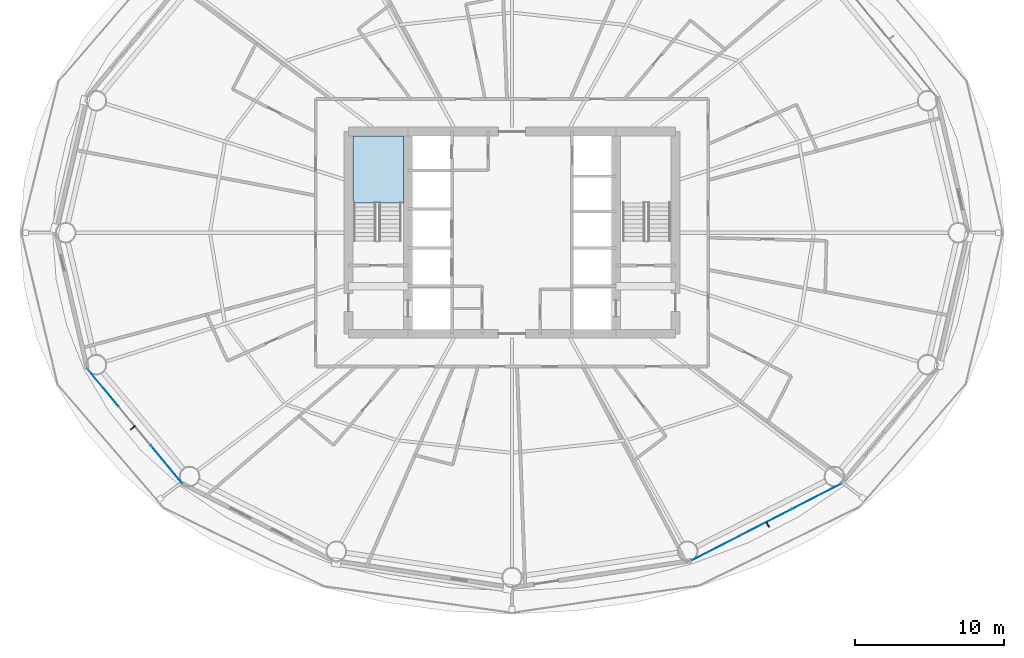
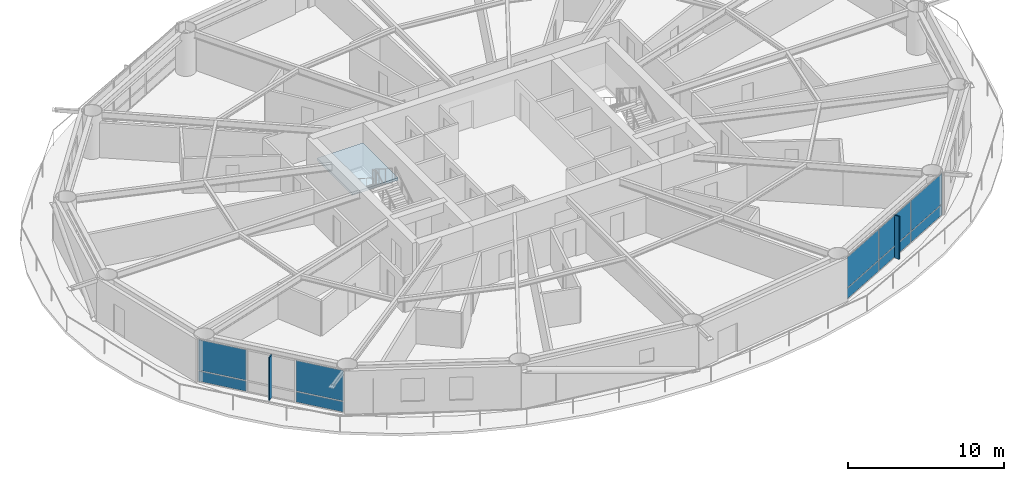
# One storey, part 16 of 26: 12 plates, 1 slab, 3 elements without a shape of their own.
"""IFC4 building model written with IfcOpenShell, lengths in metres."""

from ifc_helpers import new_model, si_unit, direction, frame, origin, origin_2d, place, context, subcontext, project, spatial, polyline, rectangle, outline, extrude, material, layer, layer_set, type_object, element, aggregate, save


model = new_model("IFC4")

# Units and contexts
model_context = context("Model", 3, precision=1e-05, world=origin(), true_north=direction((0.0, 1.0)))
body_context = subcontext(model_context, "Body", "Model", "MODEL_VIEW")
ifc_project = project(units=[si_unit("LENGTHUNIT", "METRE"), si_unit("AREAUNIT", "SQUARE_METRE"), si_unit("VOLUMEUNIT", "CUBIC_METRE"), si_unit("PLANEANGLEUNIT", "RADIAN"), si_unit("MASSUNIT", "GRAM", prefix="KILO")], contexts=[model_context])

# Site, building, storey
site_placement = place(None, origin())
site = spatial("IfcSite", under=ifc_project, at=site_placement, CompositionType="ELEMENT")
building_placement = place(site_placement, origin())
building = spatial("IfcBuilding", under=site, at=building_placement, Name="Sarneth Arch Tower", CompositionType="ELEMENT")
storey_placement = place(building_placement, frame((0.0, 0.0, 42.60009765625)))
storey = spatial("IfcBuildingStorey", under=building, at=storey_placement, Name="L09", CompositionType="ELEMENT", Elevation=42.60009765625)

# Curtain wall, plates
ifc_material_1 = material(Name="Anodised aluminium Type AA25 and solar-control low-e laminated IGU", Category="aluminium")
ifc_layer_1 = layer(ifc_material_1, 0.159912109375)
ifc_layer_set_1 = layer_set([ifc_layer_1], Name="Anodised aluminium Type AA25 and solar-control low-e laminated IGU")
curtain_wall_type = type_object("IfcCurtainWallType", Name="CW-HOTEL-LOW", PredefinedType="NOTDEFINED", material=ifc_layer_set_1)
curtain_wall_1_placement = place(storey_placement, origin())
curtain_wall_1 = element("IfcCurtainWall", 1, at=curtain_wall_1_placement, inside=storey, type_object=curtain_wall_type, Name="L09 Unitised curtain wall facet 10", PredefinedType="NOTDEFINED")
ifc_material_2 = material(Name="Solar-control low-e laminated IGU", Category="glass")
ifc_layer_2 = layer(ifc_material_2, 0.028076171875)
ifc_layer_set_2 = layer_set([ifc_layer_2], Name="Solar-control low-e laminated IGU")
plate_type_1 = type_object("IfcPlateType", Name="CW-PANEL", PredefinedType="CURTAIN_PANEL", material=ifc_layer_set_2)
plate_1_placement = place(storey_placement, frame((20.496337890625, 31.558837890625, 0.059814453125), z_axis=(0.0, 0.0, 1.0), x_axis=(0.637291340827, -0.770622960278, 0.0)))
plate_1 = element("IfcPlate", 2, at=plate_1_placement, type_object=plate_type_1, Name="Curtain wall glazed vision pane CW-L09-F10/P00-00", PredefinedType="CURTAIN_PANEL", context=body_context, shape_type="SweptSolid", body=[
    extrude(rectangle(XDim=3.260986328125, YDim=0.028076171875, at=origin_2d()), origin(), (0.0, 0.0, 1.0), 0.81005859375),
])
plate_2_placement = place(storey_placement, frame((20.496337890625, 31.558837890625, 0.93017578125), z_axis=(0.0, 0.0, 1.0), x_axis=(0.637291340827, -0.770622960278, 0.0)))
plate_2 = element("IfcPlate", 3, at=plate_2_placement, type_object=plate_type_1, Name="Curtain wall glazed vision pane CW-L09-F10/P00-01", PredefinedType="CURTAIN_PANEL", context=body_context, shape_type="SweptSolid", body=[
    extrude(rectangle(XDim=3.260986328125, YDim=0.028076171875, at=origin_2d()), origin(), (0.0, 0.0, 1.0), 2.389892578125),
])
plate_3_placement = place(storey_placement, frame((24.74853515625, 26.4169921875, 0.059814453125), z_axis=(0.0, 0.0, 1.0), x_axis=(0.637291340827, -0.770622960278, 0.0)))
plate_3 = element("IfcPlate", 4, at=plate_3_placement, type_object=plate_type_1, Name="Curtain wall glazed vision pane CW-L09-F10/P02-00", PredefinedType="CURTAIN_PANEL", context=body_context, shape_type="SweptSolid", body=[
    extrude(rectangle(XDim=3.260986328125, YDim=0.028076171875, at=origin_2d()), origin(), (0.0, 0.0, 1.0), 0.81005859375),
])
plate_4_placement = place(storey_placement, frame((24.74853515625, 26.4169921875, 0.93017578125), z_axis=(0.0, 0.0, 1.0), x_axis=(0.637291340827, -0.770622960278, 0.0)))
plate_4 = element("IfcPlate", 5, at=plate_4_placement, type_object=plate_type_1, Name="Curtain wall glazed vision pane CW-L09-F10/P02-01", PredefinedType="CURTAIN_PANEL", context=body_context, shape_type="SweptSolid", body=[
    extrude(rectangle(XDim=3.260986328125, YDim=0.028076171875, at=origin_2d()), origin(), (0.0, 0.0, 1.0), 2.389892578125),
])
aggregate(curtain_wall_1, [plate_1, plate_2, plate_3, plate_4])

curtain_wall_2_placement = place(storey_placement, origin())
curtain_wall_2 = element("IfcCurtainWall", 6, at=curtain_wall_2_placement, inside=storey, type_object=curtain_wall_type, Name="L09 Unitised curtain wall facet 14", PredefinedType="NOTDEFINED")
plate_5_placement = place(storey_placement, frame((61.77392578125, 20.807373046875, 0.059814453125), z_axis=(0.0, 0.0, 1.0), x_axis=(0.889854100456, 0.456245197127, 0.0)))
plate_5 = element("IfcPlate", 7, at=plate_5_placement, type_object=plate_type_1, Name="Curtain wall glazed vision pane CW-L09-F14/P00-00", PredefinedType="CURTAIN_PANEL", context=body_context, shape_type="SweptSolid", body=[
    extrude(rectangle(XDim=3.69189453125, YDim=0.028076171875, at=origin_2d()), origin(), (0.0, 0.0, 1.0), 0.81005859375),
])
plate_6_placement = place(storey_placement, frame((61.77392578125, 20.807373046875, 0.93017578125), z_axis=(0.0, 0.0, 1.0), x_axis=(0.889854100456, 0.456245197127, 0.0)))
plate_6 = element("IfcPlate", 8, at=plate_6_placement, type_object=plate_type_1, Name="Curtain wall glazed vision pane CW-L09-F14/P00-01", PredefinedType="CURTAIN_PANEL", context=body_context, shape_type="SweptSolid", body=[
    extrude(rectangle(XDim=3.69189453125, YDim=0.028076171875, at=origin_2d()), origin(), (0.0, 0.0, 1.0), 2.389892578125),
])
plate_7_placement = place(storey_placement, frame((65.1259765625, 22.526123046875, 0.059814453125), z_axis=(0.0, 0.0, 1.0), x_axis=(0.889854100456, 0.456245197127, 0.0)))
plate_7 = element("IfcPlate", 9, at=plate_7_placement, type_object=plate_type_1, Name="Curtain wall glazed vision pane CW-L09-F14/P01-00", PredefinedType="CURTAIN_PANEL", context=body_context, shape_type="SweptSolid", body=[
    extrude(rectangle(XDim=3.721923828125, YDim=0.028076171875, at=origin_2d()), origin(), (0.0, 0.0, 1.0), 0.81005859375),
])
plate_8_placement = place(storey_placement, frame((65.1259765625, 22.526123046875, 0.93017578125), z_axis=(0.0, 0.0, 1.0), x_axis=(0.889854100456, 0.456245197127, 0.0)))
plate_8 = element("IfcPlate", 10, at=plate_8_placement, type_object=plate_type_1, Name="Curtain wall glazed vision pane CW-L09-F14/P01-01", PredefinedType="CURTAIN_PANEL", context=body_context, shape_type="SweptSolid", body=[
    extrude(rectangle(XDim=3.721923828125, YDim=0.028076171875, at=origin_2d()), origin(), (0.0, 0.0, 1.0), 2.389892578125),
])
plate_9_placement = place(storey_placement, frame((68.47802734375, 24.24462890625, 0.059814453125), z_axis=(0.0, 0.0, 1.0), x_axis=(0.889854100456, 0.456245197127, 0.0)))
plate_9 = element("IfcPlate", 11, at=plate_9_placement, type_object=plate_type_1, Name="Curtain wall glazed vision pane CW-L09-F14/P02-00", PredefinedType="CURTAIN_PANEL", context=body_context, shape_type="SweptSolid", body=[
    extrude(rectangle(XDim=3.69189453125, YDim=0.028076171875, at=origin_2d()), origin(), (0.0, 0.0, 1.0), 0.81005859375),
])
plate_10_placement = place(storey_placement, frame((68.47802734375, 24.24462890625, 0.93017578125), z_axis=(0.0, 0.0, 1.0), x_axis=(0.889854100456, 0.456245197127, 0.0)))
plate_10 = element("IfcPlate", 12, at=plate_10_placement, type_object=plate_type_1, Name="Curtain wall glazed vision pane CW-L09-F14/P02-01", PredefinedType="CURTAIN_PANEL", context=body_context, shape_type="SweptSolid", body=[
    extrude(rectangle(XDim=3.69189453125, YDim=0.028076171875, at=origin_2d()), origin(), (0.0, 0.0, 1.0), 2.389892578125),
])
aggregate(curtain_wall_2, [plate_5, plate_6, plate_7, plate_8, plate_9, plate_10])

# Plates
ifc_material_3 = material(Name="Extruded glazed terracotta baguette fin on Aluminium 6063-T6 carrier", Category="masonry")
ifc_layer_3 = layer(ifc_material_3, 0.080078125)
ifc_layer_set_3 = layer_set([ifc_layer_3], Name="Extruded glazed terracotta baguette fin on Aluminium 6063-T6 carrier")
plate_type_2 = type_object("IfcPlateType", Name="SHADE-TERRA-FIN", PredefinedType="SHEET", material=ifc_layer_set_3)
for number, where, z_axis, x_axis, name in (
    (13, (22.491455078125, 28.879638671875, 0.009765625), (0.0, 0.0, 1.0), (-0.770624482513, -0.637289500111, 0.0), "L09 Terracotta vertical shading fin 10"),
    (14, (65.20361328125, 22.374755859375, 0.009765625), (0.0, 0.0, 1.0), (0.4563215909, -0.889814927768, 0.0), "L09 Terracotta vertical shading fin 14"),
):
    element("IfcPlate", number, at=place(storey_placement, frame(where, z_axis=z_axis, x_axis=x_axis)), inside=storey, type_object=plate_type_2, Name=name, PredefinedType="SHEET", context=body_context, shape_type="SweptSolid", body=[
        extrude(rectangle(XDim=0.419921875, YDim=0.080078125, at=origin_2d()), origin(), (0.0, 0.0, 1.0), 3.360107421875),
    ])

# Stair, slab
ifc_material_4 = material(Name="Concrete C50/60", Category="concrete")
stair_type = type_object("IfcStairType", Name="STAIR-CORE-RC", PredefinedType="HALF_TURN_STAIR", material=ifc_material_4)
stair_placement = place(storey_placement, origin())
stair = element("IfcStair", 15, at=stair_placement, inside=storey, type_object=stair_type, Name="L09 Core Exit Stair 1", PredefinedType="HALF_TURN_STAIR")
ifc_material_5 = material(Name="Concrete C50/60", Category="concrete")
ifc_layer_4 = layer(ifc_material_5, 0.199951171875)
ifc_layer_set_4 = layer_set([ifc_layer_4], Name="Concrete C50/60")
slab_type = type_object("IfcSlabType", Name="SLAB-LANDING-200", PredefinedType="LANDING", material=ifc_layer_set_4)
slab_placement = place(storey_placement, frame((0.0, 0.0, 1.599853515625)))
slab = element("IfcSlab", 16, at=slab_placement, type_object=slab_type, Name="ST-1 landing 1", PredefinedType="LANDING", context=body_context, shape_type="SweptSolid", body=[
    extrude(outline(polyline([(37.300048828125, 43.985107421875), (40.699951171875, 43.985107421875), (40.699951171875, 48.5), (37.300048828125, 48.5), (37.300048828125, 43.985107421875)])), origin(), (0.0, 0.0, 1.0), 0.199951171875),
])
aggregate(stair, [slab])

save(model, "model.ifc")
